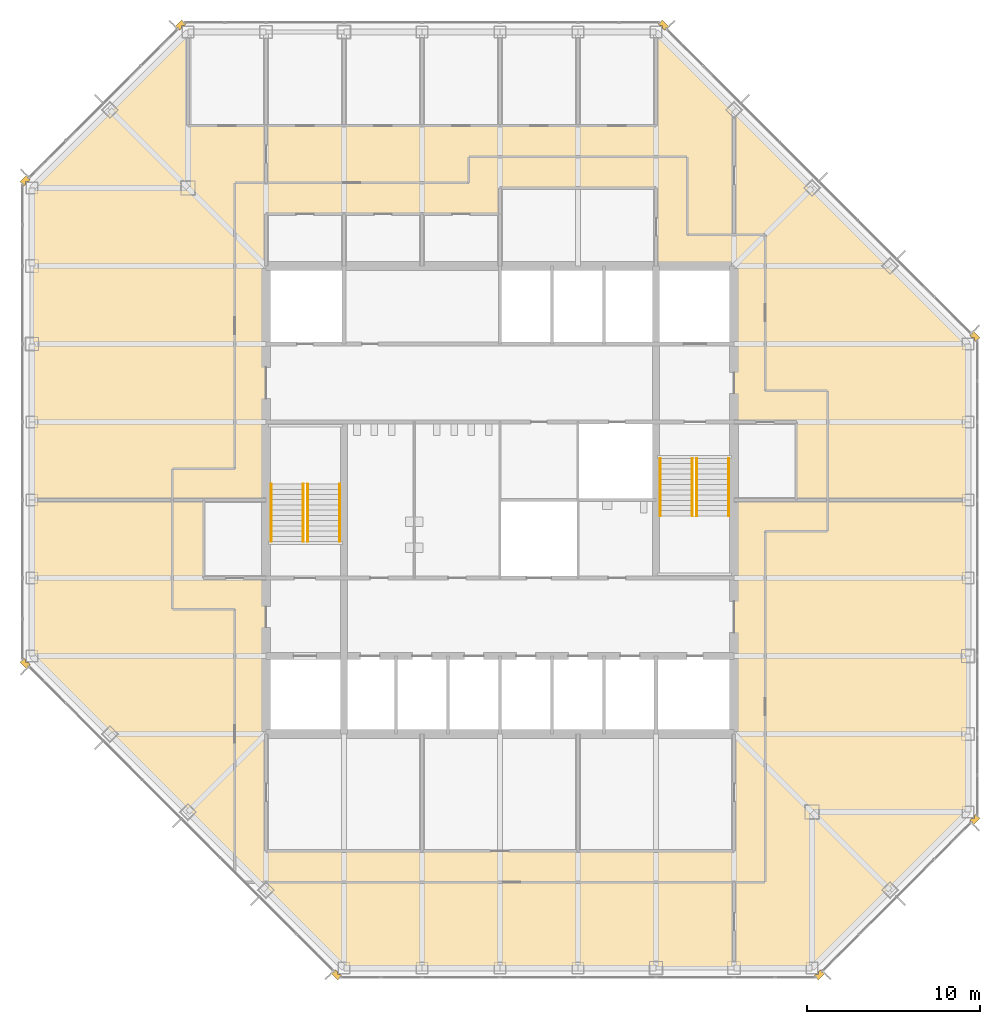
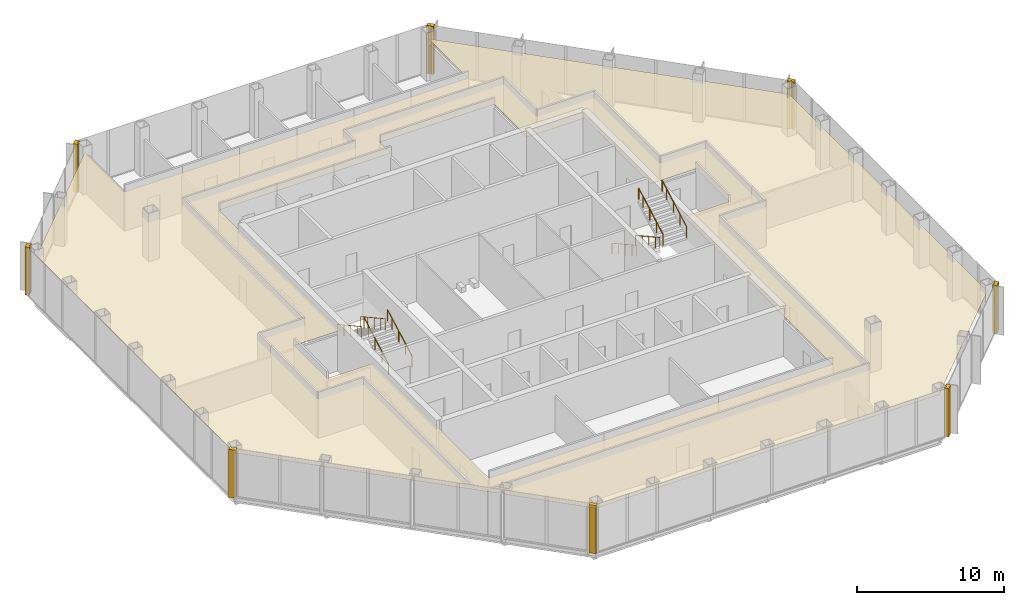
# One storey, part 12 of 13: 9 coverings, 8 railings.
"""IFC4 building model written with IfcOpenShell, lengths in metres."""

from ifc_helpers import new_model, si_unit, direction, frame, origin, origin_2d, place, context, subcontext, project, spatial, polyline, circle, outline, extrude, material, layer, layer_set, type_object, element, save


model = new_model("IFC4")

# Units and contexts
model_context = context("Model", 3, precision=1e-05, world=origin(), true_north=direction((0.0, 1.0)))
body_context = subcontext(model_context, "Body", "Model", "MODEL_VIEW")
ifc_project = project(units=[si_unit("LENGTHUNIT", "METRE"), si_unit("AREAUNIT", "SQUARE_METRE"), si_unit("VOLUMEUNIT", "CUBIC_METRE"), si_unit("PLANEANGLEUNIT", "RADIAN"), si_unit("MASSUNIT", "GRAM", prefix="KILO")], contexts=[model_context])

# Site, building, storey
site_placement = place(None, origin())
site = spatial("IfcSite", under=ifc_project, at=site_placement, CompositionType="ELEMENT")
building_placement = place(site_placement, origin())
building = spatial("IfcBuilding", under=site, at=building_placement, Name="Corais Broadcast Tower", CompositionType="ELEMENT")
storey_placement = place(building_placement, frame((0.0, 0.0, 171.60009765625)))
storey = spatial("IfcBuildingStorey", under=building, at=storey_placement, Name="L39", CompositionType="ELEMENT", Elevation=171.60009765625)

# Railings
ifc_material_1 = material(Name="Stainless steel handrail", Category="steel")
railing_type = type_object("IfcRailingType", Name="Handrail 920", PredefinedType="HANDRAIL", material=ifc_material_1)
for number, where, name in (
    (1, (17.75, 24.60009765625, 0.16650390625), "HR1 L39"),
    (2, (15.89990234375, 24.60009765625, 0.16650390625), "HR1 L39"),
):
    element("IfcRailing", number, at=place(storey_placement, frame(where)), inside=storey, type_object=railing_type, Name=name, PredefinedType="HANDRAIL", context=body_context, shape_type="SweptSolid", body=[
        extrude(circle(Radius=0.02392578125, at=origin_2d()), frame((0.0, 0.0, 0.89599609375), z_axis=(0.0, 0.875504475178, 0.483210010185), x_axis=(-1.0, 0.0, 0.0)), (0.0, 0.0, 1.0), 3.79443359375),
        extrude(circle(Radius=0.02099609375, at=origin_2d()), origin(), (0.0, 0.0, 1.0), 0.871826171875),
        extrude(circle(Radius=0.02099609375, at=origin_2d()), frame((0.0, 0.906005859375, 0.5)), (0.0, 0.0, 1.0), 0.871826171875),
        extrude(circle(Radius=0.02099609375, at=origin_2d()), frame((0.0, 1.81201171875, 1.0)), (0.0, 0.0, 1.0), 0.871826171875),
        extrude(circle(Radius=0.02099609375, at=origin_2d()), frame((0.0, 2.718017578125, 1.500244140625)), (0.0, 0.0, 1.0), 0.871826171875),
        extrude(circle(Radius=0.02099609375, at=origin_2d()), frame((0.0, 3.322021484375, 1.83349609375)), (0.0, 0.0, 1.0), 0.871826171875),
    ])
for number, where, name in (
    (3, (13.800048828125, 27.922119140625, 2.16650390625), "HR1 L39"),
    (4, (15.64990234375, 27.922119140625, 2.16650390625), "HR1 L39"),
    (5, (36.25, 29.39990234375, 0.16650390625), "HR1 L39"),
    (6, (38.10009765625, 29.39990234375, 0.16650390625), "HR1 L39"),
):
    element("IfcRailing", number, at=place(storey_placement, frame(where)), inside=storey, type_object=railing_type, Name=name, PredefinedType="HANDRAIL", context=body_context, shape_type="SweptSolid", body=[
        extrude(circle(Radius=0.02392578125, at=origin_2d()), frame((0.0, 0.0, 0.89599609375), z_axis=(0.0, -0.875504475178, 0.483210010185), x_axis=(1.0, 0.0, 0.0)), (0.0, 0.0, 1.0), 3.79443359375),
        extrude(circle(Radius=0.02099609375, at=origin_2d()), origin(), (0.0, 0.0, 1.0), 0.871826171875),
        extrude(circle(Radius=0.02099609375, at=origin_2d()), frame((0.0, -0.906005859375, 0.5)), (0.0, 0.0, 1.0), 0.871826171875),
        extrude(circle(Radius=0.02099609375, at=origin_2d()), frame((0.0, -1.81201171875, 1.0)), (0.0, 0.0, 1.0), 0.871826171875),
        extrude(circle(Radius=0.02099609375, at=origin_2d()), frame((0.0, -2.718017578125, 1.500244140625)), (0.0, 0.0, 1.0), 0.871826171875),
        extrude(circle(Radius=0.02099609375, at=origin_2d()), frame((0.0, -3.322021484375, 1.83349609375)), (0.0, 0.0, 1.0), 0.871826171875),
    ])
for number, where, name in (
    (7, (40.199951171875, 26.077880859375, 2.16650390625), "HR1 L39"),
    (8, (38.35009765625, 26.077880859375, 2.16650390625), "HR1 L39"),
):
    element("IfcRailing", number, at=place(storey_placement, frame(where)), inside=storey, type_object=railing_type, Name=name, PredefinedType="HANDRAIL", context=body_context, shape_type="SweptSolid", body=[
        extrude(circle(Radius=0.02392578125, at=origin_2d()), frame((0.0, 0.0, 0.89599609375), z_axis=(0.0, 0.875504475178, 0.483210010185), x_axis=(-1.0, 0.0, 0.0)), (0.0, 0.0, 1.0), 3.79443359375),
        extrude(circle(Radius=0.02099609375, at=origin_2d()), origin(), (0.0, 0.0, 1.0), 0.871826171875),
        extrude(circle(Radius=0.02099609375, at=origin_2d()), frame((0.0, 0.906005859375, 0.5)), (0.0, 0.0, 1.0), 0.871826171875),
        extrude(circle(Radius=0.02099609375, at=origin_2d()), frame((0.0, 1.81201171875, 1.0)), (0.0, 0.0, 1.0), 0.871826171875),
        extrude(circle(Radius=0.02099609375, at=origin_2d()), frame((0.0, 2.718017578125, 1.500244140625)), (0.0, 0.0, 1.0), 0.871826171875),
        extrude(circle(Radius=0.02099609375, at=origin_2d()), frame((0.0, 3.322021484375, 1.83349609375)), (0.0, 0.0, 1.0), 0.871826171875),
    ])

# Coverings
ifc_material_2 = material(Name="Granite stone cladding", Category="masonry")
ifc_layer_1 = layer(ifc_material_2, 0.324951171875)
ifc_layer_set_1 = layer_set([ifc_layer_1], Name="Granite stone cladding")
covering_type_1 = type_object("IfcCoveringType", Name="Stone corner pier cladding 500x325", PredefinedType="CLADDING", material=ifc_layer_set_1)
covering_1_placement = place(storey_placement, origin())
element("IfcCovering", 9, at=covering_1_placement, inside=storey, type_object=covering_type_1, Name="SP1 stone corner pier L39", PredefinedType="CLADDING", context=body_context, shape_type="SweptSolid", body=[
    extrude(outline(polyline([(17.860595703125, -0.461669921875), (17.77392578125, -0.375), (17.625, -0.375), (17.625, -0.22607421875), (17.507080078125, -0.108154296875), (17.277099609375, -0.337890625), (17.630859375, -0.69140625), (17.860595703125, -0.461669921875)])), origin(), (0.0, 0.0, 1.0), 4.0),
])
covering_2_placement = place(storey_placement, origin())
element("IfcCovering", 10, at=covering_2_placement, inside=storey, type_object=covering_type_1, Name="SP1 stone corner pier L39", PredefinedType="CLADDING", context=body_context, shape_type="SweptSolid", body=[
    extrude(outline(polyline([(-0.375, 17.77392578125), (-0.461669921875, 17.860595703125), (-0.69140625, 17.630859375), (-0.337890625, 17.277099609375), (-0.108154296875, 17.507080078125), (-0.22607421875, 17.625), (-0.375, 17.625), (-0.375, 17.77392578125)])), origin(), (0.0, 0.0, 1.0), 4.0),
])
covering_3_placement = place(storey_placement, origin())
element("IfcCovering", 11, at=covering_3_placement, inside=storey, type_object=covering_type_1, Name="SP1 stone corner pier L39", PredefinedType="CLADDING", context=body_context, shape_type="SweptSolid", body=[
    extrude(outline(polyline([(-0.461669921875, 45.139404296875), (-0.375, 45.22607421875), (-0.375, 45.375), (-0.22607421875, 45.375), (-0.108154296875, 45.492919921875), (-0.337890625, 45.722900390625), (-0.69140625, 45.369140625), (-0.461669921875, 45.139404296875)])), origin(), (0.0, 0.0, 1.0), 4.0),
])
covering_4_placement = place(storey_placement, origin())
element("IfcCovering", 12, at=covering_4_placement, inside=storey, type_object=covering_type_1, Name="SP1 stone corner pier L39", PredefinedType="CLADDING", context=body_context, shape_type="SweptSolid", body=[
    extrude(outline(polyline([(8.77392578125, 54.375), (8.860595703125, 54.461669921875), (8.630859375, 54.69140625), (8.277099609375, 54.337890625), (8.507080078125, 54.108154296875), (8.625, 54.22607421875), (8.625, 54.375), (8.77392578125, 54.375)])), origin(), (0.0, 0.0, 1.0), 4.0),
])
covering_5_placement = place(storey_placement, origin())
element("IfcCovering", 13, at=covering_5_placement, inside=storey, type_object=covering_type_1, Name="SP1 stone corner pier L39", PredefinedType="CLADDING", context=body_context, shape_type="SweptSolid", body=[
    extrude(outline(polyline([(36.139404296875, 54.461669921875), (36.22607421875, 54.375), (36.375, 54.375), (36.375, 54.22607421875), (36.492919921875, 54.108154296875), (36.722900390625, 54.337890625), (36.369140625, 54.69140625), (36.139404296875, 54.461669921875)])), origin(), (0.0, 0.0, 1.0), 4.0),
])
covering_6_placement = place(storey_placement, origin())
element("IfcCovering", 14, at=covering_6_placement, inside=storey, type_object=covering_type_1, Name="SP1 stone corner pier L39", PredefinedType="CLADDING", context=body_context, shape_type="SweptSolid", body=[
    extrude(outline(polyline([(54.375, 36.22607421875), (54.461669921875, 36.139404296875), (54.69140625, 36.369140625), (54.337890625, 36.722900390625), (54.108154296875, 36.492919921875), (54.22607421875, 36.375), (54.375, 36.375), (54.375, 36.22607421875)])), origin(), (0.0, 0.0, 1.0), 4.0),
])
covering_7_placement = place(storey_placement, origin())
element("IfcCovering", 15, at=covering_7_placement, inside=storey, type_object=covering_type_1, Name="SP1 stone corner pier L39", PredefinedType="CLADDING", context=body_context, shape_type="SweptSolid", body=[
    extrude(outline(polyline([(54.461669921875, 8.860595703125), (54.375, 8.77392578125), (54.375, 8.625), (54.22607421875, 8.625), (54.108154296875, 8.507080078125), (54.337890625, 8.277099609375), (54.69140625, 8.630859375), (54.461669921875, 8.860595703125)])), origin(), (0.0, 0.0, 1.0), 4.0),
])
covering_8_placement = place(storey_placement, origin())
element("IfcCovering", 16, at=covering_8_placement, inside=storey, type_object=covering_type_1, Name="SP1 stone corner pier L39", PredefinedType="CLADDING", context=body_context, shape_type="SweptSolid", body=[
    extrude(outline(polyline([(45.22607421875, -0.375), (45.139404296875, -0.461669921875), (45.369140625, -0.69140625), (45.722900390625, -0.337890625), (45.492919921875, -0.108154296875), (45.375, -0.22607421875), (45.375, -0.375), (45.22607421875, -0.375)])), origin(), (0.0, 0.0, 1.0), 4.0),
])
ifc_material_3 = material(Name="Mineral fibre ceiling tile", Category="mineral")
ifc_layer_2 = layer(ifc_material_3, 0.02001953125)
ifc_layer_set_2 = layer_set([ifc_layer_2], Name="Mineral fibre ceiling tile")
covering_type_2 = type_object("IfcCoveringType", Name="Suspended ceiling", PredefinedType="CEILING", material=ifc_layer_set_2)
covering_9_placement = place(storey_placement, frame((0.0, 0.0, 3.219970703125)))
element("IfcCovering", 17, at=covering_9_placement, inside=storey, type_object=covering_type_2, Name="CE1 ceiling L39", PredefinedType="CEILING", context=body_context, shape_type="SweptSolid", body=[
    extrude(outline(polyline([(54.0, 9.0), (45.0, 0.0), (18.0, 0.0), (13.5, 4.5), (13.5, 4.949951171875), (13.050048828125, 4.949951171875), (11.70166015625, 6.29833984375), (11.69970703125, 6.30029296875), (0.0, 18.0), (0.0, 45.0), (9.0, 54.0), (9.0, 48.60009765625), (36.0, 48.60009765625), (36.0, 54.0), (54.0, 36.0), (54.0, 9.0)]), holes=[polyline([(9.89990234375, 22.5), (13.5, 22.5), (13.5, 6.75), (40.5, 6.75), (40.5, 26.99951171875), (44.10009765625, 26.99951171875), (44.10009765625, 31.5), (40.5, 31.5), (40.5, 40.5), (36.0, 40.5), (36.0, 45.0), (27.0, 45.0), (27.0, 43.5), (13.5, 43.5), (13.5, 27.00048828125), (9.89990234375, 27.00048828125), (9.89990234375, 22.5)])]), origin(), (0.0, 0.0, 1.0), 0.02001953125),
])

save(model, "model.ifc")
